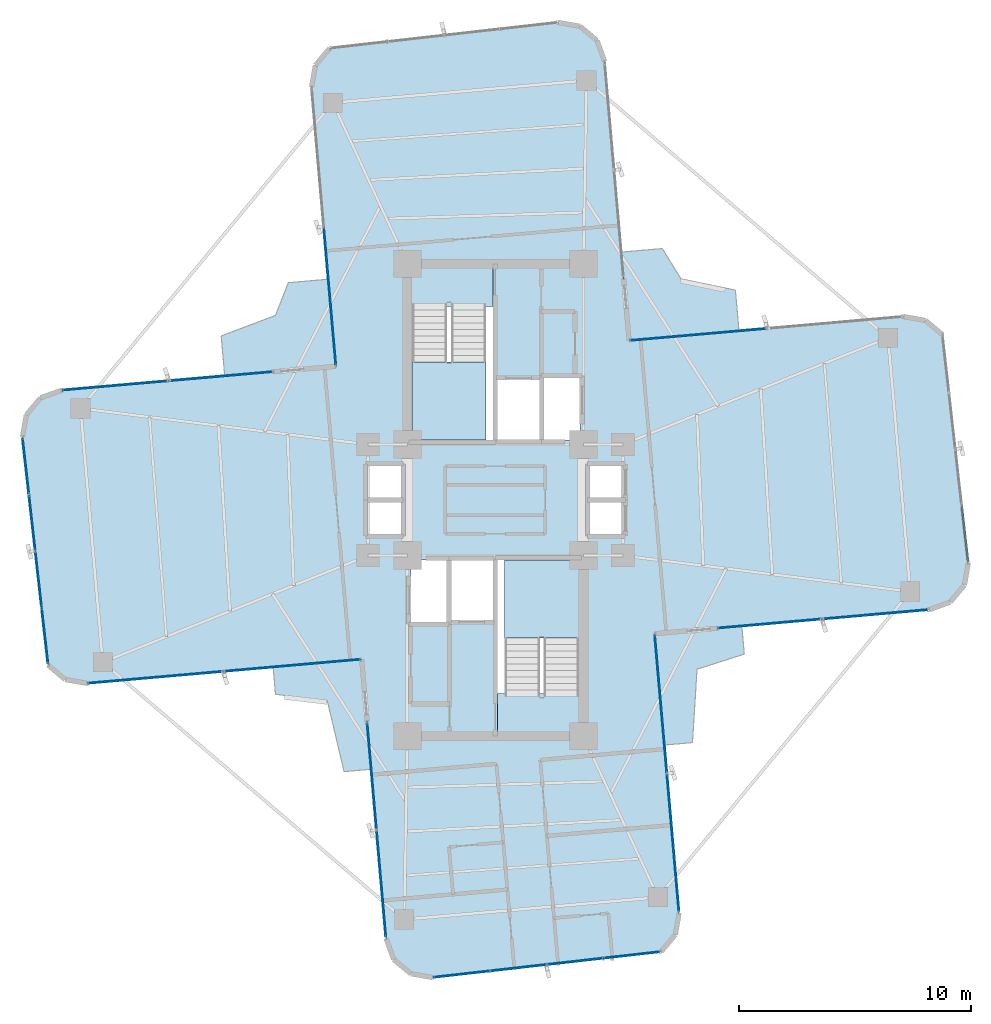
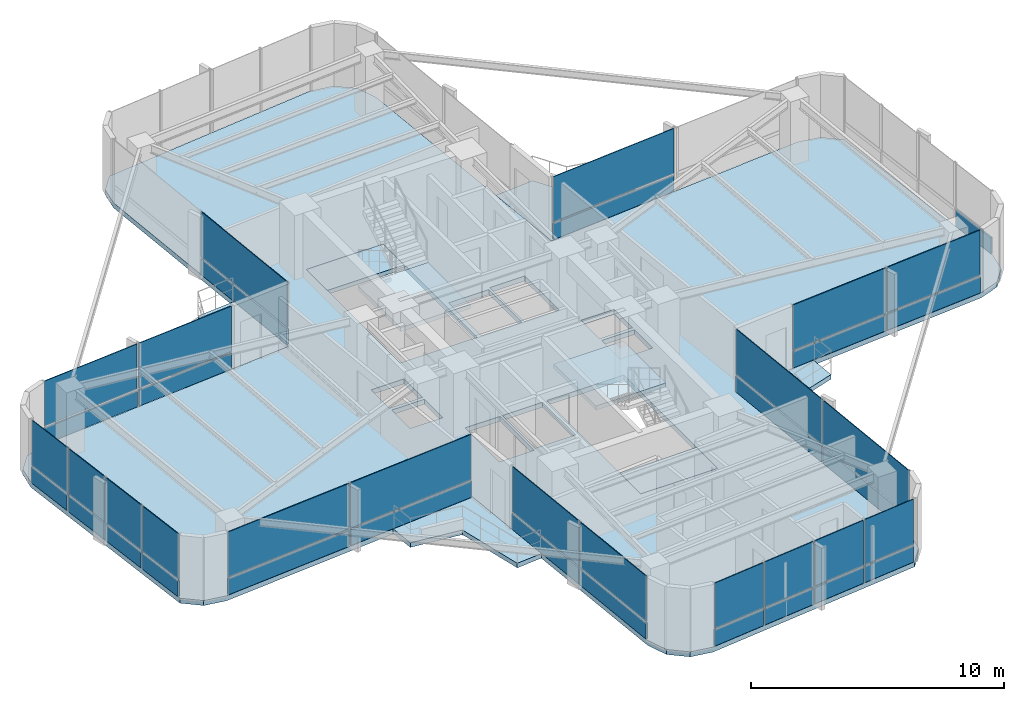
# One storey, part 19 of 24: 41 plates, 9 slabs, 12 elements without a shape of their own.
"""IFC4 building model written with IfcOpenShell, lengths in metres."""

from ifc_helpers import new_model, si_unit, direction, frame, origin, origin_2d, place, context, subcontext, project, spatial, polyline, rectangle, outline, extrude, source, transform, mapped, material, layer, layer_set, type_object, element, aggregate, save


model = new_model("IFC4")

# Units and contexts
model_context = context("Model", 3, precision=1e-05, world=origin(), true_north=direction((0.0, 1.0)))
body_context = subcontext(model_context, "Body", "Model", "MODEL_VIEW")
ifc_project = project(units=[si_unit("LENGTHUNIT", "METRE"), si_unit("AREAUNIT", "SQUARE_METRE"), si_unit("VOLUMEUNIT", "CUBIC_METRE"), si_unit("PLANEANGLEUNIT", "RADIAN"), si_unit("MASSUNIT", "GRAM", prefix="KILO")], contexts=[model_context])

# Site, building, storey
site_placement = place(None, origin())
site = spatial("IfcSite", under=ifc_project, at=site_placement, CompositionType="ELEMENT")
building_placement = place(site_placement, origin())
building = spatial("IfcBuilding", under=site, at=building_placement, Name="Sahyath Konkavel Grand Hotel", CompositionType="ELEMENT")
storey_placement = place(building_placement, frame((0.0, 0.0, 185.25)))
storey = spatial("IfcBuildingStorey", under=building, at=storey_placement, Name="L51", CompositionType="ELEMENT", Elevation=185.25)

# Slabs
ifc_material_1 = material(Name="Concrete C40/50", Category="concrete")
ifc_layer_1 = layer(ifc_material_1, 0.239990234375)
ifc_layer_set_1 = layer_set([ifc_layer_1], Name="Concrete C40/50")
slab_type_1 = type_object("IfcSlabType", Name="SLB-240", PredefinedType="FLOOR", material=ifc_layer_set_1)
slab_1_placement = place(storey_placement, frame((0.0, 0.0, -0.239990234375)))
element("IfcSlab", 1, at=slab_1_placement, inside=storey, type_object=slab_type_1, Name="L51 Structural Floor Slab", PredefinedType="FLOOR", context=body_context, shape_type="SweptSolid", body=[
    extrude(outline(polyline([(6.87939453125, -5.7724609375), (18.73388671875, -4.735107421875), (19.6337890625, -4.40771484375), (20.24951171875, -3.674072265625), (20.415771484375, -2.73095703125), (19.3037109375, 7.134521484375), (18.5703125, 7.75), (17.627197265625, 7.91650390625), (5.7724609375, 6.87939453125), (4.7177734375, 18.93310546875), (4.390380859375, 19.8330078125), (3.65673828125, 20.44873046875), (2.713623046875, 20.614990234375), (-7.152099609375, 19.5029296875), (-7.767578125, 18.769287109375), (-7.933837890625, 17.826416015625), (-6.87939453125, 5.7724609375), (-18.73388671875, 4.735107421875), (-19.6337890625, 4.40771484375), (-20.24951171875, 3.674072265625), (-20.415771484375, 2.73095703125), (-19.3037109375, -7.134521484375), (-18.5703125, -7.75), (-17.627197265625, -7.91650390625), (-5.7724609375, -6.87939453125), (-4.7177734375, -18.93310546875), (-4.390380859375, -19.8330078125), (-3.65673828125, -20.44873046875), (-2.713623046875, -20.614990234375), (7.152099609375, -19.5029296875), (7.767578125, -18.769287109375), (7.933837890625, -17.826416015625), (6.87939453125, -5.7724609375)]), holes=[polyline([(-3.6201171875, 2.580078125), (-0.10009765625, 2.580078125), (-0.10009765625, 10.02001953125), (-3.6201171875, 10.02001953125), (-3.6201171875, 2.580078125)]), polyline([(0.10009765625, -10.02001953125), (3.6201171875, -10.02001953125), (3.6201171875, -2.580078125), (0.10009765625, -2.580078125), (0.10009765625, -10.02001953125)]), polyline([(0.10009765625, 2.60009765625), (1.949951171875, 2.60009765625), (1.949951171875, 5.199951171875), (0.10009765625, 5.199951171875), (0.10009765625, 2.60009765625)]), polyline([(-1.949951171875, -5.199951171875), (-0.10009765625, -5.199951171875), (-0.10009765625, -2.60009765625), (-1.949951171875, -2.60009765625), (-1.949951171875, -5.199951171875)]), polyline([(2.050048828125, 2.60009765625), (3.64990234375, 2.60009765625), (3.64990234375, 5.300048828125), (2.050048828125, 5.300048828125), (2.050048828125, 2.60009765625)]), polyline([(-3.64990234375, -5.300048828125), (-2.050048828125, -5.300048828125), (-2.050048828125, -2.60009765625), (-3.64990234375, -2.60009765625), (-3.64990234375, -5.300048828125)]), polyline([(4.050048828125, 0.080078125), (5.550048828125, 0.080078125), (5.550048828125, 1.5400390625), (4.050048828125, 1.5400390625), (4.050048828125, 0.080078125)]), polyline([(4.050048828125, -1.5400390625), (5.550048828125, -1.5400390625), (5.550048828125, -0.080078125), (4.050048828125, -0.080078125), (4.050048828125, -1.5400390625)]), polyline([(-5.550048828125, 0.080078125), (-4.050048828125, 0.080078125), (-4.050048828125, 1.5400390625), (-5.550048828125, 1.5400390625), (-5.550048828125, 0.080078125)]), polyline([(-5.550048828125, -1.5400390625), (-4.050048828125, -1.5400390625), (-4.050048828125, -0.080078125), (-5.550048828125, -0.080078125), (-5.550048828125, -1.5400390625)])]), origin(), (0.0, 0.0, 1.0), 0.239990234375),
])
ifc_layer_2 = layer(ifc_material_1, 0.219970703125)
ifc_layer_set_2 = layer_set([ifc_layer_2], Name="Concrete C40/50")
slab_type_2 = type_object("IfcSlabType", Name="SLB-BALCONY-220", PredefinedType="FLOOR", material=ifc_layer_set_2)
slab_2_placement = place(storey_placement, frame((0.0, 0.0, -0.219970703125)))
element("IfcSlab", 2, at=slab_2_placement, inside=storey, type_object=slab_type_2, Name="L51 Winter-Garden Balcony NE", PredefinedType="FLOOR", context=body_context, shape_type="SweptSolid", body=[
    extrude(outline(polyline([(5.7724609375, 6.87939453125), (10.517333984375, 7.29443359375), (10.36279296875, 9.06103515625), (8.011474609375, 9.547607421875), (7.20458984375, 10.856201171875), (5.43798828125, 10.70166015625), (5.7724609375, 6.87939453125)])), origin(), (0.0, 0.0, 1.0), 0.219970703125),
])
slab_3_placement = place(storey_placement, frame((0.0, 0.0, -0.219970703125)))
element("IfcSlab", 3, at=slab_3_placement, inside=storey, type_object=slab_type_2, Name="L51 Winter-Garden Balcony NW", PredefinedType="FLOOR", context=body_context, shape_type="SweptSolid", body=[
    extrude(outline(polyline([(-6.87939453125, 5.7724609375), (-7.208251953125, 9.532958984375), (-8.939697265625, 9.381591796875), (-9.494384765625, 7.966796875), (-11.83740234375, 7.083251953125), (-11.685791015625, 5.351806640625), (-6.87939453125, 5.7724609375)])), origin(), (0.0, 0.0, 1.0), 0.219970703125),
])
slab_4_placement = place(storey_placement, frame((0.0, 0.0, -0.219970703125)))
element("IfcSlab", 4, at=slab_4_placement, inside=storey, type_object=slab_type_2, Name="L51 Winter-Garden Balcony SW", PredefinedType="FLOOR", context=body_context, shape_type="SweptSolid", body=[
    extrude(outline(polyline([(-5.7724609375, -6.87939453125), (-9.5947265625, -7.213623046875), (-9.4921875, -8.3876953125), (-7.260498046875, -8.652587890625), (-6.531494140625, -11.726806640625), (-5.357421875, -11.624267578125), (-5.7724609375, -6.87939453125)])), origin(), (0.0, 0.0, 1.0), 0.219970703125),
])
slab_5_placement = place(storey_placement, frame((0.0, 0.0, -0.219970703125)))
element("IfcSlab", 5, at=slab_5_placement, inside=storey, type_object=slab_type_2, Name="L51 Winter-Garden Balcony SE", PredefinedType="FLOOR", context=body_context, shape_type="SweptSolid", body=[
    extrude(outline(polyline([(6.87939453125, -5.7724609375), (7.2998046875, -10.5791015625), (8.509033203125, -10.47314453125), (8.705810546875, -7.304931640625), (10.74560546875, -6.652587890625), (10.639892578125, -5.443359375), (6.87939453125, -5.7724609375)])), origin(), (0.0, 0.0, 1.0), 0.219970703125),
])

# Stair, slab
stair_type = type_object("IfcStairType", Name="STR-ST16-335", PredefinedType="HALF_TURN_STAIR", material=ifc_material_1)
stair_1_placement = place(storey_placement, origin())
stair_1 = element("IfcStair", 6, at=stair_1_placement, inside=storey, type_object=stair_type, Name="L51 North Core Smokeproof Exit Stair ST-1", PredefinedType="HALF_TURN_STAIR")
ifc_layer_3 = layer(ifc_material_1, 0.199951171875)
ifc_layer_set_3 = layer_set([ifc_layer_3], Name="Concrete C40/50")
slab_type_3 = type_object("IfcSlabType", Name="SLB-STAIR-LND", PredefinedType="LANDING", material=ifc_layer_set_3)
slab_6_placement = place(storey_placement, frame((0.0, 0.0, 1.47509765625)))
slab_6 = element("IfcSlab", 7, at=slab_6_placement, type_object=slab_type_3, Name="ST-1 landing 1", PredefinedType="LANDING", context=body_context, shape_type="SweptSolid", body=[
    extrude(outline(polyline([(-3.60009765625, 5.9599609375), (-3.60009765625, 2.60009765625), (-0.39990234375, 2.60009765625), (-0.39990234375, 5.9599609375), (-3.60009765625, 5.9599609375)])), origin(), (0.0, 0.0, 1.0), 0.199951171875),
])
aggregate(stair_1, [slab_6])

stair_2_placement = place(storey_placement, origin())
stair_2 = element("IfcStair", 8, at=stair_2_placement, inside=storey, type_object=stair_type, Name="L51 South Core Smokeproof Exit Stair ST-2", PredefinedType="HALF_TURN_STAIR")
slab_7_placement = place(storey_placement, frame((0.0, 0.0, 1.47509765625)))
slab_7 = element("IfcSlab", 9, at=slab_7_placement, type_object=slab_type_3, Name="ST-2 landing 1", PredefinedType="LANDING", context=body_context, shape_type="SweptSolid", body=[
    extrude(outline(polyline([(3.60009765625, -5.9599609375), (3.60009765625, -2.60009765625), (0.39990234375, -2.60009765625), (0.39990234375, -5.9599609375), (3.60009765625, -5.9599609375)])), origin(), (0.0, 0.0, 1.0), 0.199951171875),
])
aggregate(stair_2, [slab_7])

# Slabs
slab_8_placement = place(storey_placement, frame((0.0, 0.0, -0.199951171875)))
element("IfcSlab", 10, at=slab_8_placement, inside=storey, type_object=slab_type_3, Name="L51 Stair ST-1 Floor Landing Slab", PredefinedType="LANDING", context=body_context, shape_type="SweptSolid", body=[
    extrude(outline(polyline([(-3.6201171875, 8.35009765625), (-0.10009765625, 8.35009765625), (-0.10009765625, 10.02001953125), (-3.6201171875, 10.02001953125), (-3.6201171875, 8.35009765625)])), origin(), (0.0, 0.0, 1.0), 0.199951171875),
])
slab_9_placement = place(storey_placement, frame((0.0, 0.0, -0.199951171875)))
element("IfcSlab", 11, at=slab_9_placement, inside=storey, type_object=slab_type_3, Name="L51 Stair ST-2 Floor Landing Slab", PredefinedType="LANDING", context=body_context, shape_type="SweptSolid", body=[
    extrude(outline(polyline([(0.10009765625, -10.02001953125), (3.6201171875, -10.02001953125), (3.6201171875, -8.35009765625), (0.10009765625, -8.35009765625), (0.10009765625, -10.02001953125)])), origin(), (0.0, 0.0, 1.0), 0.199951171875),
])

# Curtain wall, plates
ifc_material_2 = material(Name="Anodised Bronze Aluminium & Low-E Glazing", Category="aluminium")
curtain_wall_type = type_object("IfcCurtainWallType", Name="CW-ZONE3", PredefinedType="NOTDEFINED", material=ifc_material_2)
curtain_wall_1_placement = place(storey_placement, origin())
curtain_wall_1 = element("IfcCurtainWall", 12, at=curtain_wall_1_placement, inside=storey, type_object=curtain_wall_type, Name="L51 Unitised Curtain Wall F0", PredefinedType="NOTDEFINED")
ifc_material_3 = material(Name="Warm Buff Sandstone Cladding", Category="masonry")
ifc_layer_4 = layer(ifc_material_3, 0.074951171875)
ifc_layer_set_4 = layer_set([ifc_layer_4], Name="Warm Buff Sandstone Cladding")
plate_type_1 = type_object("IfcPlateType", Name="PNL-SPANDREL-STONE", PredefinedType="SHEET", material=ifc_layer_set_4)
shared_shape_1 = source(origin(), body_context, "Body", "SweptSolid", [
    extrude(rectangle(XDim=4.47998046875, YDim=0.074951171875, at=origin_2d()), origin(), (0.0, 0.0, 1.0), 0.77001953125),
])
plate_1_placement = place(storey_placement, frame((11.880126953125, -5.334716796875, 0.0400390625), z_axis=(0.0, 0.0, 1.0), x_axis=(0.996194698092, 0.087155742748, 0.0)))
plate_1 = element("IfcPlate", 13, at=plate_1_placement, type_object=plate_type_1, Name="L51 Sandstone Relief Spandrel Panel F0-0", PredefinedType="SHEET", context=body_context, shape_type="MappedRepresentation", body=[
    mapped(shared_shape_1, transform((0.0, 0.0, 0.0), scale=1.0)),
])
plate_2_placement = place(storey_placement, frame((16.4228515625, -4.9375, 0.0400390625), z_axis=(0.0, 0.0, 1.0), x_axis=(0.996194698092, 0.087155742748, 0.0)))
plate_2 = element("IfcPlate", 14, at=plate_2_placement, type_object=plate_type_1, Name="L51 Sandstone Relief Spandrel Panel F0-1", PredefinedType="SHEET", context=body_context, shape_type="MappedRepresentation", body=[
    mapped(shared_shape_1, transform((0.0, 0.0, 0.0), scale=1.0)),
])

curtain_wall_2_placement = place(storey_placement, origin())
curtain_wall_2 = element("IfcCurtainWall", 15, at=curtain_wall_2_placement, inside=storey, type_object=curtain_wall_type, Name="L51 Unitised Curtain Wall F16", PredefinedType="NOTDEFINED")
plate_3_placement = place(storey_placement, frame((-11.880126953125, 5.334716796875, 0.0400390625), z_axis=(0.0, 0.0, 1.0), x_axis=(-0.996194698092, -0.087155742748, 0.0)))
plate_3 = element("IfcPlate", 16, at=plate_3_placement, type_object=plate_type_1, Name="L51 Sandstone Relief Spandrel Panel F16-0", PredefinedType="SHEET", context=body_context, shape_type="MappedRepresentation", body=[
    mapped(shared_shape_1, transform((0.0, 0.0, 0.0), scale=1.0)),
])
plate_4_placement = place(storey_placement, frame((-16.4228515625, 4.9375, 0.0400390625), z_axis=(0.0, 0.0, 1.0), x_axis=(-0.996194698092, -0.087155742748, 0.0)))
plate_4 = element("IfcPlate", 17, at=plate_4_placement, type_object=plate_type_1, Name="L51 Sandstone Relief Spandrel Panel F16-1", PredefinedType="SHEET", context=body_context, shape_type="MappedRepresentation", body=[
    mapped(shared_shape_1, transform((0.0, 0.0, 0.0), scale=1.0)),
])

# Curtain wall, plate
curtain_wall_3_placement = place(storey_placement, origin())
curtain_wall_3 = element("IfcCurtainWall", 18, at=curtain_wall_3_placement, inside=storey, type_object=curtain_wall_type, Name="L51 Unitised Curtain Wall F4", PredefinedType="NOTDEFINED")
shared_shape_2 = source(origin(), body_context, "Body", "SweptSolid", [
    extrude(rectangle(XDim=2.382080078125, YDim=0.074951171875, at=origin_2d()), origin(), (0.0, 0.0, 1.0), 0.77001953125),
])
plate_5_placement = place(storey_placement, frame((20.2734375, -1.468017578125, 0.0400390625), z_axis=(0.0, 0.0, 1.0), x_axis=(-0.111989252568, 0.993709417943, 0.0)))
plate_5 = element("IfcPlate", 19, at=plate_5_placement, type_object=plate_type_1, Name="L51 Sandstone Relief Spandrel Panel F4-0", PredefinedType="SHEET", context=body_context, shape_type="MappedRepresentation", body=[
    mapped(shared_shape_2, transform((0.0, 0.0, 0.0), scale=1.0)),
])
aggregate(curtain_wall_3, [plate_5])

# Curtain wall, plates
curtain_wall_4_placement = place(storey_placement, origin())
curtain_wall_4 = element("IfcCurtainWall", 20, at=curtain_wall_4_placement, inside=storey, type_object=curtain_wall_type, Name="L51 Unitised Curtain Wall F20", PredefinedType="NOTDEFINED")
plate_6_placement = place(storey_placement, frame((-20.2734375, 1.468017578125, 0.0400390625), z_axis=(0.0, 0.0, 1.0), x_axis=(0.111989252568, -0.993709417943, 0.0)))
plate_6 = element("IfcPlate", 21, at=plate_6_placement, type_object=plate_type_1, Name="L51 Sandstone Relief Spandrel Panel F20-0", PredefinedType="SHEET", context=body_context, shape_type="MappedRepresentation", body=[
    mapped(shared_shape_2, transform((0.0, 0.0, 0.0), scale=1.0)),
])
plate_7_placement = place(storey_placement, frame((-19.99755859375, -0.978515625, 0.0400390625), z_axis=(0.0, 0.0, 1.0), x_axis=(0.111989252568, -0.993709417943, 0.0)))
plate_7 = element("IfcPlate", 22, at=plate_7_placement, type_object=plate_type_1, Name="L51 Sandstone Relief Spandrel Panel F20-1", PredefinedType="SHEET", context=body_context, shape_type="MappedRepresentation", body=[
    mapped(shared_shape_2, transform((0.0, 0.0, 0.0), scale=1.0)),
])
plate_8_placement = place(storey_placement, frame((-19.7216796875, -3.425048828125, 0.0400390625), z_axis=(0.0, 0.0, 1.0), x_axis=(0.111989252568, -0.993709417943, 0.0)))
plate_8 = element("IfcPlate", 23, at=plate_8_placement, type_object=plate_type_1, Name="L51 Sandstone Relief Spandrel Panel F20-2", PredefinedType="SHEET", context=body_context, shape_type="MappedRepresentation", body=[
    mapped(shared_shape_2, transform((0.0, 0.0, 0.0), scale=1.0)),
])
plate_9_placement = place(storey_placement, frame((-19.446044921875, -5.87158203125, 0.0400390625), z_axis=(0.0, 0.0, 1.0), x_axis=(0.111989252568, -0.993709417943, 0.0)))
plate_9 = element("IfcPlate", 24, at=plate_9_placement, type_object=plate_type_1, Name="L51 Sandstone Relief Spandrel Panel F20-3", PredefinedType="SHEET", context=body_context, shape_type="MappedRepresentation", body=[
    mapped(shared_shape_2, transform((0.0, 0.0, 0.0), scale=1.0)),
])

curtain_wall_5_placement = place(storey_placement, origin())
curtain_wall_5 = element("IfcCurtainWall", 25, at=curtain_wall_5_placement, inside=storey, type_object=curtain_wall_type, Name="L51 Unitised Curtain Wall F28", PredefinedType="NOTDEFINED")
plate_10_placement = place(storey_placement, frame((-1.45068359375, -20.47265625, 0.0400390625), z_axis=(0.0, 0.0, 1.0), x_axis=(0.993707463211, 0.112006596052, 0.0)))
plate_10 = element("IfcPlate", 26, at=plate_10_placement, type_object=plate_type_1, Name="L51 Sandstone Relief Spandrel Panel F28-0", PredefinedType="SHEET", context=body_context, shape_type="MappedRepresentation", body=[
    mapped(shared_shape_2, transform((0.0, 0.0, 0.0), scale=1.0)),
])
plate_11_placement = place(storey_placement, frame((0.995849609375, -20.197021484375, 0.0400390625), z_axis=(0.0, 0.0, 1.0), x_axis=(0.993707463211, 0.112006596052, 0.0)))
plate_11 = element("IfcPlate", 27, at=plate_11_placement, type_object=plate_type_1, Name="L51 Sandstone Relief Spandrel Panel F28-1", PredefinedType="SHEET", context=body_context, shape_type="MappedRepresentation", body=[
    mapped(shared_shape_2, transform((0.0, 0.0, 0.0), scale=1.0)),
])
plate_12_placement = place(storey_placement, frame((3.4423828125, -19.921142578125, 0.0400390625), z_axis=(0.0, 0.0, 1.0), x_axis=(0.993707463211, 0.112006596052, 0.0)))
plate_12 = element("IfcPlate", 28, at=plate_12_placement, type_object=plate_type_1, Name="L51 Sandstone Relief Spandrel Panel F28-2", PredefinedType="SHEET", context=body_context, shape_type="MappedRepresentation", body=[
    mapped(shared_shape_2, transform((0.0, 0.0, 0.0), scale=1.0)),
])
plate_13_placement = place(storey_placement, frame((5.888916015625, -19.6455078125, 0.0400390625), z_axis=(0.0, 0.0, 1.0), x_axis=(0.993707463211, 0.112006596052, 0.0)))
plate_13 = element("IfcPlate", 29, at=plate_13_placement, type_object=plate_type_1, Name="L51 Sandstone Relief Spandrel Panel F28-3", PredefinedType="SHEET", context=body_context, shape_type="MappedRepresentation", body=[
    mapped(shared_shape_2, transform((0.0, 0.0, 0.0), scale=1.0)),
])

# Curtain wall, plate
curtain_wall_6_placement = place(storey_placement, origin())
curtain_wall_6 = element("IfcCurtainWall", 30, at=curtain_wall_6_placement, inside=storey, type_object=curtain_wall_type, Name="L51 Unitised Curtain Wall F7", PredefinedType="NOTDEFINED")
shared_shape_3 = source(origin(), body_context, "Body", "SweptSolid", [
    extrude(rectangle(XDim=5.830078125, YDim=0.074951171875, at=origin_2d()), origin(), (0.0, 0.0, 1.0), 0.77001953125),
])
plate_14_placement = place(storey_placement, frame((8.756103515625, 7.140380859375, 0.0400390625), z_axis=(0.0, 0.0, 1.0), x_axis=(-0.996194698092, -0.087155742748, 0.0)))
plate_14 = element("IfcPlate", 31, at=plate_14_placement, type_object=plate_type_1, Name="L51 Sandstone Relief Spandrel Panel F7-1", PredefinedType="SHEET", context=body_context, shape_type="MappedRepresentation", body=[
    mapped(shared_shape_3, transform((0.0, 0.0, 0.0), scale=1.0)),
])

# Curtain wall, plates
curtain_wall_7_placement = place(storey_placement, origin())
curtain_wall_7 = element("IfcCurtainWall", 32, at=curtain_wall_7_placement, inside=storey, type_object=curtain_wall_type, Name="L51 Unitised Curtain Wall F23", PredefinedType="NOTDEFINED")
plate_15_placement = place(storey_placement, frame((-14.6435546875, -7.655517578125, 0.0400390625), z_axis=(0.0, 0.0, 1.0), x_axis=(0.996194698092, 0.087155742748, 0.0)))
plate_15 = element("IfcPlate", 33, at=plate_15_placement, type_object=plate_type_1, Name="L51 Sandstone Relief Spandrel Panel F23-0", PredefinedType="SHEET", context=body_context, shape_type="MappedRepresentation", body=[
    mapped(shared_shape_3, transform((0.0, 0.0, 0.0), scale=1.0)),
])
plate_16_placement = place(storey_placement, frame((-8.756103515625, -7.140380859375, 0.0400390625), z_axis=(0.0, 0.0, 1.0), x_axis=(0.996194698092, 0.087155742748, 0.0)))
plate_16 = element("IfcPlate", 34, at=plate_16_placement, type_object=plate_type_1, Name="L51 Sandstone Relief Spandrel Panel F23-1", PredefinedType="SHEET", context=body_context, shape_type="MappedRepresentation", body=[
    mapped(shared_shape_3, transform((0.0, 0.0, 0.0), scale=1.0)),
])

curtain_wall_8_placement = place(storey_placement, origin())
curtain_wall_8 = element("IfcCurtainWall", 35, at=curtain_wall_8_placement, inside=storey, type_object=curtain_wall_type, Name="L51 Unitised Curtain Wall F24", PredefinedType="NOTDEFINED")
shared_shape_4 = source(origin(), body_context, "Body", "SweptSolid", [
    extrude(rectangle(XDim=4.580078125, YDim=0.074951171875, at=origin_2d()), origin(), (0.0, 0.0, 1.0), 0.77001953125),
])
plate_17_placement = place(storey_placement, frame((-5.33056640625, -11.929931640625, 0.0400390625), z_axis=(0.0, 0.0, 1.0), x_axis=(0.087155742748, -0.996194698092, 0.0)))
plate_17 = element("IfcPlate", 36, at=plate_17_placement, type_object=plate_type_1, Name="L51 Sandstone Relief Spandrel Panel F24-0", PredefinedType="SHEET", context=body_context, shape_type="MappedRepresentation", body=[
    mapped(shared_shape_4, transform((0.0, 0.0, 0.0), scale=1.0)),
])
plate_18_placement = place(storey_placement, frame((-4.92431640625, -16.572265625, 0.0400390625), z_axis=(0.0, 0.0, 1.0), x_axis=(0.087155742748, -0.996194698092, 0.0)))
plate_18 = element("IfcPlate", 37, at=plate_18_placement, type_object=plate_type_1, Name="L51 Sandstone Relief Spandrel Panel F24-1", PredefinedType="SHEET", context=body_context, shape_type="MappedRepresentation", body=[
    mapped(shared_shape_4, transform((0.0, 0.0, 0.0), scale=1.0)),
])

# Curtain wall, plate
curtain_wall_9_placement = place(storey_placement, origin())
curtain_wall_9 = element("IfcCurtainWall", 38, at=curtain_wall_9_placement, inside=storey, type_object=curtain_wall_type, Name="L51 Unitised Curtain Wall F15", PredefinedType="NOTDEFINED")
shared_shape_5 = source(origin(), body_context, "Body", "SweptSolid", [
    extrude(rectangle(XDim=5.929931640625, YDim=0.074951171875, at=origin_2d()), origin(), (0.0, 0.0, 1.0), 0.77001953125),
])
plate_19_placement = place(storey_placement, frame((-7.144775390625, 8.805908203125, 0.0400390625), z_axis=(0.0, 0.0, 1.0), x_axis=(0.087155742748, -0.996194698092, 0.0)))
plate_19 = element("IfcPlate", 39, at=plate_19_placement, type_object=plate_type_1, Name="L51 Sandstone Relief Spandrel Panel F15-1", PredefinedType="SHEET", context=body_context, shape_type="MappedRepresentation", body=[
    mapped(shared_shape_5, transform((0.0, 0.0, 0.0), scale=1.0)),
])

# Curtain wall, plates
curtain_wall_10_placement = place(storey_placement, origin())
curtain_wall_10 = element("IfcCurtainWall", 40, at=curtain_wall_10_placement, inside=storey, type_object=curtain_wall_type, Name="L51 Unitised Curtain Wall F31", PredefinedType="NOTDEFINED")
plate_20_placement = place(storey_placement, frame((7.66845703125, -14.79296875, 0.0400390625), z_axis=(0.0, 0.0, 1.0), x_axis=(-0.087155742748, 0.996194698092, 0.0)))
plate_20 = element("IfcPlate", 41, at=plate_20_placement, type_object=plate_type_1, Name="L51 Sandstone Relief Spandrel Panel F31-0", PredefinedType="SHEET", context=body_context, shape_type="MappedRepresentation", body=[
    mapped(shared_shape_5, transform((0.0, 0.0, 0.0), scale=1.0)),
])
plate_21_placement = place(storey_placement, frame((7.144775390625, -8.805908203125, 0.0400390625), z_axis=(0.0, 0.0, 1.0), x_axis=(-0.087155742748, 0.996194698092, 0.0)))
plate_21 = element("IfcPlate", 42, at=plate_21_placement, type_object=plate_type_1, Name="L51 Sandstone Relief Spandrel Panel F31-1", PredefinedType="SHEET", context=body_context, shape_type="MappedRepresentation", body=[
    mapped(shared_shape_5, transform((0.0, 0.0, 0.0), scale=1.0)),
])

# Plate
ifc_material_4 = material(Name="Low-E Solar Control Double Glazing", Category="glass")
ifc_layer_5 = layer(ifc_material_4, 0.035888671875)
ifc_layer_set_5 = layer_set([ifc_layer_5], Name="Low-E Solar Control Double Glazing")
plate_type_2 = type_object("IfcPlateType", Name="PNL-VISION-LOWE", PredefinedType="CURTAIN_PANEL", material=ifc_layer_set_5)
shared_shape_6 = source(origin(), body_context, "Body", "SweptSolid", [
    extrude(rectangle(XDim=4.47998046875, YDim=0.035888671875, at=origin_2d()), origin(), (0.0, 0.0, 1.0), 2.179931640625),
])
plate_22_placement = place(storey_placement, frame((11.880126953125, -5.334716796875, 0.89013671875), z_axis=(0.0, 0.0, 1.0), x_axis=(0.996194698092, 0.087155742748, 0.0)))
plate_22 = element("IfcPlate", 43, at=plate_22_placement, type_object=plate_type_2, Name="L51 Low-E Vision Glazing Panel F0-0", PredefinedType="CURTAIN_PANEL", context=body_context, shape_type="MappedRepresentation", body=[
    mapped(shared_shape_6, transform((0.0, 0.0, 0.0), scale=1.0)),
])

plate_23_placement = place(storey_placement, frame((16.4228515625, -4.9375, 0.89013671875), z_axis=(0.0, 0.0, 1.0), x_axis=(0.996194698092, 0.087155742748, 0.0)))
plate_23 = element("IfcPlate", 44, at=plate_23_placement, type_object=plate_type_2, Name="L51 Low-E Vision Glazing Panel F0-1", PredefinedType="CURTAIN_PANEL", context=body_context, shape_type="MappedRepresentation", body=[
    mapped(shared_shape_6, transform((0.0, 0.0, 0.0), scale=1.0)),
])

aggregate(curtain_wall_1, [plate_1, plate_22, plate_2, plate_23])

plate_24_placement = place(storey_placement, frame((-11.880126953125, 5.334716796875, 0.89013671875), z_axis=(0.0, 0.0, 1.0), x_axis=(-0.996194698092, -0.087155742748, 0.0)))
plate_24 = element("IfcPlate", 45, at=plate_24_placement, type_object=plate_type_2, Name="L51 Low-E Vision Glazing Panel F16-0", PredefinedType="CURTAIN_PANEL", context=body_context, shape_type="MappedRepresentation", body=[
    mapped(shared_shape_6, transform((0.0, 0.0, 0.0), scale=1.0)),
])

plate_25_placement = place(storey_placement, frame((-16.4228515625, 4.9375, 0.89013671875), z_axis=(0.0, 0.0, 1.0), x_axis=(-0.996194698092, -0.087155742748, 0.0)))
plate_25 = element("IfcPlate", 46, at=plate_25_placement, type_object=plate_type_2, Name="L51 Low-E Vision Glazing Panel F16-1", PredefinedType="CURTAIN_PANEL", context=body_context, shape_type="MappedRepresentation", body=[
    mapped(shared_shape_6, transform((0.0, 0.0, 0.0), scale=1.0)),
])

aggregate(curtain_wall_2, [plate_3, plate_24, plate_4, plate_25])

shared_shape_7 = source(origin(), body_context, "Body", "SweptSolid", [
    extrude(rectangle(XDim=2.382080078125, YDim=0.035888671875, at=origin_2d()), origin(), (0.0, 0.0, 1.0), 2.179931640625),
])
plate_26_placement = place(storey_placement, frame((-20.2734375, 1.468017578125, 0.89013671875), z_axis=(0.0, 0.0, 1.0), x_axis=(0.111989252568, -0.993709417943, 0.0)))
plate_26 = element("IfcPlate", 47, at=plate_26_placement, type_object=plate_type_2, Name="L51 Low-E Vision Glazing Panel F20-0", PredefinedType="CURTAIN_PANEL", context=body_context, shape_type="MappedRepresentation", body=[
    mapped(shared_shape_7, transform((0.0, 0.0, 0.0), scale=1.0)),
])

plate_27_placement = place(storey_placement, frame((-19.99755859375, -0.978515625, 0.89013671875), z_axis=(0.0, 0.0, 1.0), x_axis=(0.111989252568, -0.993709417943, 0.0)))
plate_27 = element("IfcPlate", 48, at=plate_27_placement, type_object=plate_type_2, Name="L51 Low-E Vision Glazing Panel F20-1", PredefinedType="CURTAIN_PANEL", context=body_context, shape_type="MappedRepresentation", body=[
    mapped(shared_shape_7, transform((0.0, 0.0, 0.0), scale=1.0)),
])

plate_28_placement = place(storey_placement, frame((-19.7216796875, -3.425048828125, 0.89013671875), z_axis=(0.0, 0.0, 1.0), x_axis=(0.111989252568, -0.993709417943, 0.0)))
plate_28 = element("IfcPlate", 49, at=plate_28_placement, type_object=plate_type_2, Name="L51 Low-E Vision Glazing Panel F20-2", PredefinedType="CURTAIN_PANEL", context=body_context, shape_type="MappedRepresentation", body=[
    mapped(shared_shape_7, transform((0.0, 0.0, 0.0), scale=1.0)),
])

plate_29_placement = place(storey_placement, frame((-19.446044921875, -5.87158203125, 0.89013671875), z_axis=(0.0, 0.0, 1.0), x_axis=(0.111989252568, -0.993709417943, 0.0)))
plate_29 = element("IfcPlate", 50, at=plate_29_placement, type_object=plate_type_2, Name="L51 Low-E Vision Glazing Panel F20-3", PredefinedType="CURTAIN_PANEL", context=body_context, shape_type="MappedRepresentation", body=[
    mapped(shared_shape_7, transform((0.0, 0.0, 0.0), scale=1.0)),
])

aggregate(curtain_wall_4, [plate_6, plate_26, plate_7, plate_27, plate_8, plate_28, plate_9, plate_29])

plate_30_placement = place(storey_placement, frame((-1.45068359375, -20.47265625, 0.89013671875), z_axis=(0.0, 0.0, 1.0), x_axis=(0.993707463211, 0.112006596052, 0.0)))
plate_30 = element("IfcPlate", 51, at=plate_30_placement, type_object=plate_type_2, Name="L51 Low-E Vision Glazing Panel F28-0", PredefinedType="CURTAIN_PANEL", context=body_context, shape_type="MappedRepresentation", body=[
    mapped(shared_shape_7, transform((0.0, 0.0, 0.0), scale=1.0)),
])

plate_31_placement = place(storey_placement, frame((0.995849609375, -20.197021484375, 0.89013671875), z_axis=(0.0, 0.0, 1.0), x_axis=(0.993707463211, 0.112006596052, 0.0)))
plate_31 = element("IfcPlate", 52, at=plate_31_placement, type_object=plate_type_2, Name="L51 Low-E Vision Glazing Panel F28-1", PredefinedType="CURTAIN_PANEL", context=body_context, shape_type="MappedRepresentation", body=[
    mapped(shared_shape_7, transform((0.0, 0.0, 0.0), scale=1.0)),
])

plate_32_placement = place(storey_placement, frame((3.4423828125, -19.921142578125, 0.89013671875), z_axis=(0.0, 0.0, 1.0), x_axis=(0.993707463211, 0.112006596052, 0.0)))
plate_32 = element("IfcPlate", 53, at=plate_32_placement, type_object=plate_type_2, Name="L51 Low-E Vision Glazing Panel F28-2", PredefinedType="CURTAIN_PANEL", context=body_context, shape_type="MappedRepresentation", body=[
    mapped(shared_shape_7, transform((0.0, 0.0, 0.0), scale=1.0)),
])

plate_33_placement = place(storey_placement, frame((5.888916015625, -19.6455078125, 0.89013671875), z_axis=(0.0, 0.0, 1.0), x_axis=(0.993707463211, 0.112006596052, 0.0)))
plate_33 = element("IfcPlate", 54, at=plate_33_placement, type_object=plate_type_2, Name="L51 Low-E Vision Glazing Panel F28-3", PredefinedType="CURTAIN_PANEL", context=body_context, shape_type="MappedRepresentation", body=[
    mapped(shared_shape_7, transform((0.0, 0.0, 0.0), scale=1.0)),
])

aggregate(curtain_wall_5, [plate_10, plate_30, plate_11, plate_31, plate_12, plate_32, plate_13, plate_33])

shared_shape_8 = source(origin(), body_context, "Body", "SweptSolid", [
    extrude(rectangle(XDim=5.830078125, YDim=0.035888671875, at=origin_2d()), origin(), (0.0, 0.0, 1.0), 2.179931640625),
])
plate_34_placement = place(storey_placement, frame((8.756103515625, 7.140380859375, 0.89013671875), z_axis=(0.0, 0.0, 1.0), x_axis=(-0.996194698092, -0.087155742748, 0.0)))
plate_34 = element("IfcPlate", 55, at=plate_34_placement, type_object=plate_type_2, Name="L51 Low-E Vision Glazing Panel F7-1", PredefinedType="CURTAIN_PANEL", context=body_context, shape_type="MappedRepresentation", body=[
    mapped(shared_shape_8, transform((0.0, 0.0, 0.0), scale=1.0)),
])

aggregate(curtain_wall_6, [plate_14, plate_34])

plate_35_placement = place(storey_placement, frame((-14.6435546875, -7.655517578125, 0.89013671875), z_axis=(0.0, 0.0, 1.0), x_axis=(0.996194698092, 0.087155742748, 0.0)))
plate_35 = element("IfcPlate", 56, at=plate_35_placement, type_object=plate_type_2, Name="L51 Low-E Vision Glazing Panel F23-0", PredefinedType="CURTAIN_PANEL", context=body_context, shape_type="MappedRepresentation", body=[
    mapped(shared_shape_8, transform((0.0, 0.0, 0.0), scale=1.0)),
])

plate_36_placement = place(storey_placement, frame((-8.756103515625, -7.140380859375, 0.89013671875), z_axis=(0.0, 0.0, 1.0), x_axis=(0.996194698092, 0.087155742748, 0.0)))
plate_36 = element("IfcPlate", 57, at=plate_36_placement, type_object=plate_type_2, Name="L51 Low-E Vision Glazing Panel F23-1", PredefinedType="CURTAIN_PANEL", context=body_context, shape_type="MappedRepresentation", body=[
    mapped(shared_shape_8, transform((0.0, 0.0, 0.0), scale=1.0)),
])

aggregate(curtain_wall_7, [plate_15, plate_35, plate_16, plate_36])

shared_shape_9 = source(origin(), body_context, "Body", "SweptSolid", [
    extrude(rectangle(XDim=4.580078125, YDim=0.035888671875, at=origin_2d()), origin(), (0.0, 0.0, 1.0), 2.179931640625),
])
plate_37_placement = place(storey_placement, frame((-5.33056640625, -11.929931640625, 0.89013671875), z_axis=(0.0, 0.0, 1.0), x_axis=(0.087155742748, -0.996194698092, 0.0)))
plate_37 = element("IfcPlate", 58, at=plate_37_placement, type_object=plate_type_2, Name="L51 Low-E Vision Glazing Panel F24-0", PredefinedType="CURTAIN_PANEL", context=body_context, shape_type="MappedRepresentation", body=[
    mapped(shared_shape_9, transform((0.0, 0.0, 0.0), scale=1.0)),
])

plate_38_placement = place(storey_placement, frame((-4.92431640625, -16.572265625, 0.89013671875), z_axis=(0.0, 0.0, 1.0), x_axis=(0.087155742748, -0.996194698092, 0.0)))
plate_38 = element("IfcPlate", 59, at=plate_38_placement, type_object=plate_type_2, Name="L51 Low-E Vision Glazing Panel F24-1", PredefinedType="CURTAIN_PANEL", context=body_context, shape_type="MappedRepresentation", body=[
    mapped(shared_shape_9, transform((0.0, 0.0, 0.0), scale=1.0)),
])

aggregate(curtain_wall_8, [plate_17, plate_37, plate_18, plate_38])

shared_shape_10 = source(origin(), body_context, "Body", "SweptSolid", [
    extrude(rectangle(XDim=5.929931640625, YDim=0.035888671875, at=origin_2d()), origin(), (0.0, 0.0, 1.0), 2.179931640625),
])
plate_39_placement = place(storey_placement, frame((-7.144775390625, 8.805908203125, 0.89013671875), z_axis=(0.0, 0.0, 1.0), x_axis=(0.087155742748, -0.996194698092, 0.0)))
plate_39 = element("IfcPlate", 60, at=plate_39_placement, type_object=plate_type_2, Name="L51 Low-E Vision Glazing Panel F15-1", PredefinedType="CURTAIN_PANEL", context=body_context, shape_type="MappedRepresentation", body=[
    mapped(shared_shape_10, transform((0.0, 0.0, 0.0), scale=1.0)),
])

aggregate(curtain_wall_9, [plate_19, plate_39])

plate_40_placement = place(storey_placement, frame((7.66845703125, -14.79296875, 0.89013671875), z_axis=(0.0, 0.0, 1.0), x_axis=(-0.087155742748, 0.996194698092, 0.0)))
plate_40 = element("IfcPlate", 61, at=plate_40_placement, type_object=plate_type_2, Name="L51 Low-E Vision Glazing Panel F31-0", PredefinedType="CURTAIN_PANEL", context=body_context, shape_type="MappedRepresentation", body=[
    mapped(shared_shape_10, transform((0.0, 0.0, 0.0), scale=1.0)),
])

plate_41_placement = place(storey_placement, frame((7.144775390625, -8.805908203125, 0.89013671875), z_axis=(0.0, 0.0, 1.0), x_axis=(-0.087155742748, 0.996194698092, 0.0)))
plate_41 = element("IfcPlate", 62, at=plate_41_placement, type_object=plate_type_2, Name="L51 Low-E Vision Glazing Panel F31-1", PredefinedType="CURTAIN_PANEL", context=body_context, shape_type="MappedRepresentation", body=[
    mapped(shared_shape_10, transform((0.0, 0.0, 0.0), scale=1.0)),
])

aggregate(curtain_wall_10, [plate_20, plate_40, plate_21, plate_41])

save(model, "model.ifc")
